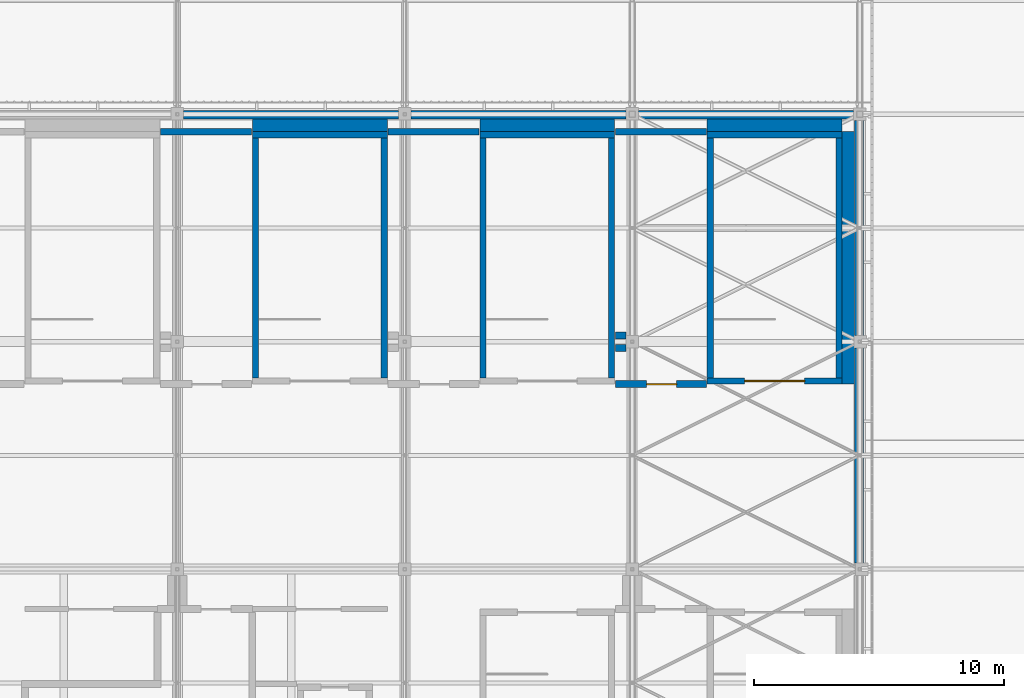
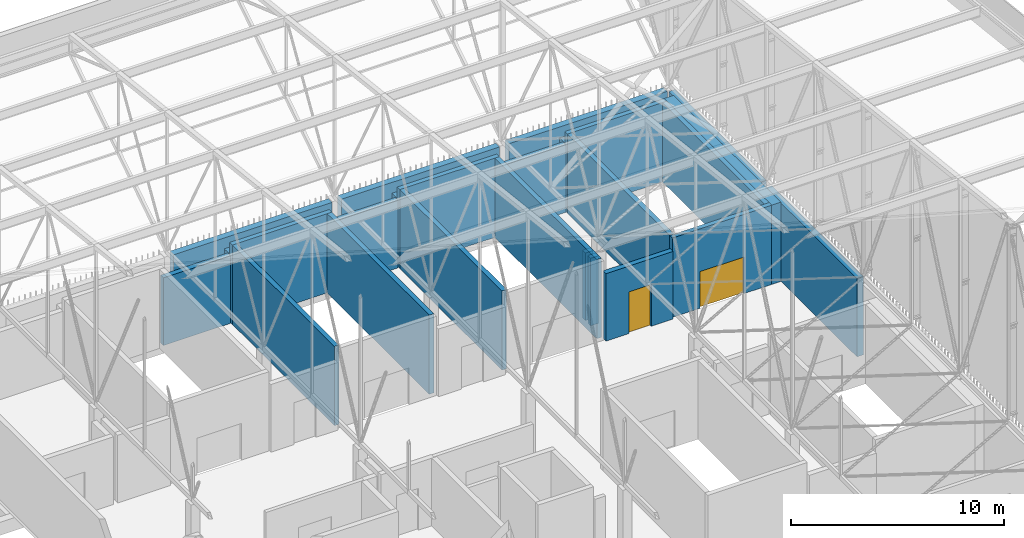
# One storey, part 438 of 500: 25 walls, 2 doors, 2 openings.
"""IFC4 building model written with IfcOpenShell, lengths in metres."""

import ifcopenshell
import ifcopenshell.guid

model = None  # the IFC model being written
_history = None  # IfcOwnerHistory: only IFC2X3 demands one
_inside = {}  # id of a spatial element -> (the spatial element, [elements in it])
_under = {}  # id of a project, library or spatial element -> (it, [spatial elements below it])
_declared = {}  # id of a project -> (the project, [libraries it declares])
_typed = {}  # id of a type object -> (the type object, [elements of that type])
_made_of = {}  # id of a material, layer set ... -> (it, [elements and type objects made of it])


def new_model(schema):
    """Start an empty IFC model of exactly this schema.

    Asked for "IFC4X3", IfcOpenShell would pick the latest addendum, in which some entities
    have other attributes; the version numbers below select the first issue.
    IFC2X3 requires an IfcOwnerHistory on every rooted entity: one is made here for all.
    """
    global model, _history
    if schema == "IFC4X3":
        model = ifcopenshell.file(schema_version=(4, 3, 0, 0))
    else:
        model = ifcopenshell.file(schema=schema)
    _inside.clear()
    _under.clear()
    _declared.clear()
    _typed.clear()
    _made_of.clear()
    _history = None
    if model.schema == "IFC2X3":
        org = make("IfcOrganization", Name="unknown")
        user = make(
            "IfcPersonAndOrganization",
            ThePerson=make("IfcPerson", FamilyName="unknown"),
            TheOrganization=org,
        )
        app = make(
            "IfcApplication",
            ApplicationDeveloper=org,
            Version="unknown",
            ApplicationFullName="unknown",
            ApplicationIdentifier="unknown",
        )
        _history = make(
            "IfcOwnerHistory",
            OwningUser=user,
            OwningApplication=app,
            ChangeAction="ADDED",
            CreationDate=0,
        )
    return model


def make(cls, **values):
    """One entity of the class cls with the attributes given. An attribute that is None is left unset."""
    return model.create_entity(
        cls, **{name: value for name, value in values.items() if value is not None}
    )


def rooted(cls, **values):
    """An entity with a GlobalId (a new one), such as an element, a storey or a relation."""
    return make(cls, GlobalId=ifcopenshell.guid.new(), OwnerHistory=_history, **values)


def si_unit(unit_type, name, prefix=None):
    """IfcSIUnit, for example si_unit("LENGTHUNIT", "METRE", prefix="MILLI")."""
    return make("IfcSIUnit", UnitType=unit_type, Prefix=prefix, Name=name)


def assignment(units):
    """IfcUnitAssignment: the units of a project."""
    return None if units is None else make("IfcUnitAssignment", Units=units)


def point(xyz):
    """IfcCartesianPoint."""
    return None if xyz is None else make("IfcCartesianPoint", Coordinates=xyz)


def direction(xyz):
    """IfcDirection."""
    return None if xyz is None else make("IfcDirection", DirectionRatios=xyz)


def frame(location, z_axis=None, x_axis=None):
    """IfcAxis2Placement3D, a coordinate frame: its origin and axes. An axis left out is left unset."""
    return make(
        "IfcAxis2Placement3D",
        Location=point(location),
        Axis=direction(z_axis),
        RefDirection=direction(x_axis),
    )


def frame_2d(location, x_axis=None):
    """IfcAxis2Placement2D, a coordinate frame in the plane: its origin and x axis."""
    return make(
        "IfcAxis2Placement2D", Location=point(location), RefDirection=direction(x_axis)
    )


def origin():
    """The frame at (0, 0, 0) with its axes left unset."""
    return frame((0.0, 0.0, 0.0))


def place(relative_to, where):
    """IfcLocalPlacement: puts the frame where relative to a parent placement (None: the world)."""
    return make(
        "IfcLocalPlacement", PlacementRelTo=relative_to, RelativePlacement=where
    )


def context(
    kind, dimensions, precision=None, world=None, true_north=None, identifier=None
):
    """IfcGeometricRepresentationContext, for example the 3D "Model" context."""
    return make(
        "IfcGeometricRepresentationContext",
        ContextIdentifier=identifier,
        ContextType=kind,
        CoordinateSpaceDimension=dimensions,
        Precision=precision,
        WorldCoordinateSystem=world,
        TrueNorth=true_north,
    )


def subcontext(parent, identifier, kind, view, scale=None):
    """IfcGeometricRepresentationSubContext, for example "Body" below "Model"."""
    return make(
        "IfcGeometricRepresentationSubContext",
        ContextIdentifier=identifier,
        ContextType=kind,
        ParentContext=parent,
        TargetScale=scale,
        TargetView=view,
    )


def project(units=None, contexts=None):
    """IfcProject with its units and contexts."""
    return rooted(
        "IfcProject",
        Name="project",
        RepresentationContexts=contexts,
        UnitsInContext=assignment(units),
    )


def spatial(cls, under=None, at=None, **own):
    """A site, building, storey or space (cls), placed at a placement, below another one or the project."""
    s = rooted(cls, ObjectPlacement=at, **own)
    if under is not None:
        _under.setdefault(under.id(), (under, []))[1].append(s)
    return s


def profile(cls, at=None, kind="AREA", **sizes):
    """A parametric profile (cls). Its sizes go by their IFC names, for example OverallWidth=200.0."""
    return make(cls, ProfileType=kind, Position=at, **sizes)


def rectangle(**sizes):
    """IfcRectangleProfileDef."""
    return profile("IfcRectangleProfileDef", **sizes)


def extrude(swept, where, along, depth):
    """IfcExtrudedAreaSolid: the profile swept, set in the frame where, extruded along a direction by depth."""
    return make(
        "IfcExtrudedAreaSolid",
        SweptArea=swept,
        Position=where,
        ExtrudedDirection=direction(along),
        Depth=depth,
    )


def shape(context_of_items, identifier, shape_type, items):
    """IfcShapeRepresentation: the items that make up one representation, for example the "Body"."""
    return make(
        "IfcShapeRepresentation",
        ContextOfItems=context_of_items,
        RepresentationIdentifier=identifier,
        RepresentationType=shape_type,
        Items=items,
    )


def material(Name=None, Category=None):
    """IfcMaterial."""
    return make("IfcMaterial", Name=Name, Category=Category)


def layer(
    of_material, thickness, ventilated=None, Name=None, Category=None, Priority=None
):
    """IfcMaterialLayer: one layer of a wall or slab, of a material (None: an air gap)."""
    return make(
        "IfcMaterialLayer",
        Material=of_material,
        LayerThickness=thickness,
        IsVentilated=ventilated,
        Name=Name,
        Category=Category,
        Priority=Priority,
    )


def layer_set(layers, Name=None):
    """IfcMaterialLayerSet."""
    return make("IfcMaterialLayerSet", MaterialLayers=layers, LayerSetName=Name)


def made_of(thing, what):
    """Note that an element or type object is made of a material, layer set ...; save() writes the relation."""
    if what is not None:
        _made_of.setdefault(what.id(), (what, []))[1].append(thing)
    return thing


def type_object(cls, material=None, **own):
    """A type object (cls), such as IfcWallType, which elements share."""
    return made_of(rooted(cls, **own), material)


def element(
    cls,
    number,
    at=None,
    inside=None,
    cuts=None,
    type_object=None,
    material=None,
    context=None,
    identifier="Body",
    shape_type=None,
    held_by="IfcProductDefinitionShape",
    body=None,
    shapes=None,
    **own,
):
    """One element of the class cls, such as IfcWall. Its Tag is "e" and its number.

    at: its placement. inside: the storey or other place that contains it. cuts: it is an
    opening in that element (IfcRelVoidsElement). A single representation is given by context,
    identifier, shape_type and body (its items); several are given by shapes. held_by: the class
    of the entity that holds the representations. save() writes the other relations.
    """
    e = rooted(cls, Tag="e%d" % number, ObjectPlacement=at, **own)
    if body is not None:
        shapes = [shape(context, identifier, shape_type, body)]
    if shapes is not None:
        e.Representation = make(held_by, Representations=shapes)
    if inside is not None:
        _inside.setdefault(inside.id(), (inside, []))[1].append(e)
    if cuts is not None:
        rooted(
            "IfcRelVoidsElement", RelatingBuildingElement=cuts, RelatedOpeningElement=e
        )
    if type_object is not None:
        _typed.setdefault(type_object.id(), (type_object, []))[1].append(e)
    return made_of(e, material)


def fill(opening, filler):
    """IfcRelFillsElement: the door or window that sits in an opening."""
    return rooted(
        "IfcRelFillsElement",
        RelatingOpeningElement=opening,
        RelatedBuildingElement=filler,
    )


def aggregate(whole, parts):
    """IfcRelAggregates: a whole, such as a stair, and the parts it consists of."""
    return rooted("IfcRelAggregates", RelatingObject=whole, RelatedObjects=parts)


def save(model, path):
    """Write the relations noted so far, then the file.

    IfcRelAggregates (storeys below a building ...), IfcRelContainedInSpatialStructure (elements
    in a storey), IfcRelDefinesByType, IfcRelAssociatesMaterial and IfcRelDeclares: one each for
    every whole, place, type object, material and project.
    """
    for whole, parts in _under.values():
        aggregate(whole, parts)
    for where, things in _inside.values():
        rooted(
            "IfcRelContainedInSpatialStructure",
            RelatedElements=things,
            RelatingStructure=where,
        )
    for kind, things in _typed.values():
        rooted("IfcRelDefinesByType", RelatedObjects=things, RelatingType=kind)
    for what, things in _made_of.values():
        rooted("IfcRelAssociatesMaterial", RelatedObjects=things, RelatingMaterial=what)
    for by, libraries in _declared.values():
        rooted("IfcRelDeclares", RelatingContext=by, RelatedDefinitions=libraries)
    model.write(path)


model = new_model("IFC4")

# Units and contexts
model_context = context("Model", 3, precision=1e-05, world=origin(), true_north=direction((0.0, 1.0)))
body_context = subcontext(model_context, "Body", "Model", "MODEL_VIEW")
ifc_project = project(units=[si_unit("LENGTHUNIT", "METRE"), si_unit("AREAUNIT", "SQUARE_METRE"), si_unit("VOLUMEUNIT", "CUBIC_METRE"), si_unit("PLANEANGLEUNIT", "RADIAN"), si_unit("MASSUNIT", "GRAM", prefix="KILO")], contexts=[model_context])

# Site, building, storey
site_placement = place(None, origin())
site = spatial("IfcSite", under=ifc_project, at=site_placement, CompositionType="ELEMENT")
building_placement = place(site_placement, origin())
building = spatial("IfcBuilding", under=site, at=building_placement, Name="Shirokan Park Arena", CompositionType="ELEMENT")
storey_placement = place(building_placement, frame((0.0, 0.0, 29.1201171875)))
storey = spatial("IfcBuildingStorey", under=building, at=storey_placement, Name="L06", CompositionType="ELEMENT", Elevation=29.1201171875)

# Walls
ifc_material_1 = material(Name="Cedar cladding")
ifc_layer_1 = layer(ifc_material_1, 0.030029296875, Name="Cedar cladding")
ifc_material_2 = material(Name="Mineral wool insulation")
ifc_layer_2 = layer(ifc_material_2, 0.10009765625, Name="Mineral wool insulation")
ifc_material_3 = material(Name="Concrete C35", Category="concrete")
ifc_layer_3 = layer(ifc_material_3, 0.199951171875, Name="Concrete C35")
ifc_material_4 = material(Name="Gypsum board lining")
ifc_layer_4 = layer(ifc_material_4, 0.02001953125, Name="Gypsum board lining")
ifc_layer_set_1 = layer_set([ifc_layer_1, ifc_layer_2, ifc_layer_3, ifc_layer_4], Name="Cedar cladding + Mineral wool insulation + Concrete C35 + Gypsum board lining")
wall_type_1 = type_object("IfcWallType", Name="Insulated tower wall 350", PredefinedType="SOLIDWALL", material=ifc_layer_set_1)
wall_1_placement = place(storey_placement, frame((145.574951171875, 91.25, 0.0), z_axis=(0.0, 0.0, 1.0), x_axis=(0.0, 1.0, 0.0)))
element("IfcWall", 1, at=wall_1_placement, inside=storey, type_object=wall_type_1, Name="East facade wall bay 11 L06", PredefinedType="SOLIDWALL", context=body_context, shape_type="SweptSolid", body=[
    extrude(rectangle(XDim=8.60009765625, YDim=0.35009765625, at=frame_2d((4.300048828125, 0.0))), origin(), (0.0, 0.0, 1.0), 4.5),
])
wall_2_placement = place(storey_placement, frame((145.574951171875, 100.35009765625, 0.0), z_axis=(0.0, 0.0, 1.0), x_axis=(0.0, 1.0, 0.0)))
element("IfcWall", 2, at=wall_2_placement, inside=storey, type_object=wall_type_1, Name="East facade wall bay 12 L06", PredefinedType="SOLIDWALL", context=body_context, shape_type="SweptSolid", body=[
    extrude(rectangle(XDim=8.599853515625, YDim=0.35009765625, at=frame_2d((4.2998046875, 0.0))), origin(), (0.0, 0.0, 1.0), 4.5),
])
for number, where, z_axis, x_axis, name in (
    (3, (145.35009765625, 109.175048828125, 0.0), (0.0, 0.0, 1.0), (-1.0, 0.0, 0.0), "North facade wall bay 1 L06"),
    (4, (136.25, 109.175048828125, 0.0), (0.0, 0.0, 1.0), (-1.0, 0.0, 0.0), "North facade wall bay 2 L06"),
):
    element("IfcWall", number, at=place(storey_placement, frame(where, z_axis=z_axis, x_axis=x_axis)), inside=storey, type_object=wall_type_1, Name=name, PredefinedType="SOLIDWALL", context=body_context, shape_type="SweptSolid", body=[
        extrude(rectangle(XDim=8.60009765625, YDim=0.35009765625, at=frame_2d((4.300048828125, 0.0))), origin(), (0.0, 0.0, 1.0), 4.5),
    ])
wall_3_placement = place(storey_placement, frame((127.14990234375, 109.175048828125, 0.0), z_axis=(0.0, 0.0, 1.0), x_axis=(-1.0, 0.0, 0.0)))
element("IfcWall", 5, at=wall_3_placement, inside=storey, type_object=wall_type_1, Name="North facade wall bay 3 L06", PredefinedType="SOLIDWALL", context=body_context, shape_type="SweptSolid", body=[
    extrude(rectangle(XDim=8.599853515625, YDim=0.35009765625, at=frame_2d((4.2998046875, 0.0))), origin(), (0.0, 0.0, 1.0), 4.5),
])
ifc_material_5 = material(Name="Plaster")
ifc_layer_5 = layer(ifc_material_5, 0.012451171875, Name="Plaster")
ifc_material_6 = material(Name="Concrete blockwork", Category="masonry")
ifc_layer_6 = layer(ifc_material_6, 0.25, Name="Concrete blockwork 250")
ifc_layer_7 = layer(ifc_material_5, 0.012451171875, Name="Plaster")
ifc_layer_set_2 = layer_set([ifc_layer_5, ifc_layer_6, ifc_layer_7], Name="Plaster + Concrete blockwork 250")
wall_type_2 = type_object("IfcWallType", Name="Plant room wall 275", PredefinedType="SOLIDWALL", material=ifc_layer_set_2)
for number, where, z_axis, x_axis, name in (
    (6, (117.6298828125, 108.5, 0.0), (0.0, 0.0, 1.0), (1.0, 0.0, 0.0), "Plant room wall 275 L06"),
    (7, (126.72998046875, 108.5, 0.0), (0.0, 0.0, 1.0), (1.0, 0.0, 0.0), "Plant room wall 275 L06"),
):
    element("IfcWall", number, at=place(storey_placement, frame(where, z_axis=z_axis, x_axis=x_axis)), inside=storey, type_object=wall_type_2, Name=name, PredefinedType="SOLIDWALL", context=body_context, shape_type="SweptSolid", body=[
        extrude(rectangle(XDim=3.64013671875, YDim=0.27490234375, at=frame_2d((1.820068359375, 0.0))), origin(), (0.0, 0.0, 1.0), 3.8798828125),
    ])

# Wall, opening, door
wall_4_placement = place(storey_placement, frame((135.830078125, 98.39990234375, 0.0), z_axis=(0.0, 0.0, 1.0), x_axis=(1.0, 0.0, 0.0)))
wall_4 = element("IfcWall", 8, at=wall_4_placement, inside=storey, type_object=wall_type_2, Name="Plant room wall 275 L06", PredefinedType="SOLIDWALL", context=body_context, shape_type="SweptSolid", body=[
    extrude(rectangle(XDim=3.639892578125, YDim=0.27490234375, at=frame_2d((1.81982421875, 0.0))), origin(), (0.0, 0.0, 1.0), 3.8798828125),
])
opening_1_placement = place(wall_4_placement, frame((1.25, 0.0, 0.0)))
opening_1 = element("IfcOpeningElement", 9, at=opening_1_placement, cuts=wall_4, Name="Opening D-6025", PredefinedType="OPENING", context=body_context, shape_type="SweptSolid", body=[
    extrude(rectangle(XDim=1.199951171875, YDim=2.39990234375, at=frame_2d((0.60009765625, 1.199951171875))), frame((0.0, 0.1474609375, 0.0), z_axis=(0.0, -1.0, 0.0), x_axis=(1.0, 0.0, 0.0)), (0.0, 0.0, 1.0), 0.294921875),
])
ifc_material_7 = material(Name="Louvred steel door set, fire resisting", Category="steel")
door_type_1 = type_object("IfcDoorType", Name="Plant room door 1200 x 2400", OperationType="SINGLE_SWING_LEFT", PredefinedType="DOOR", material=ifc_material_7)
door_1_placement = place(opening_1_placement, origin())
door_1 = element("IfcDoor", 10, at=door_1_placement, inside=storey, type_object=door_type_1, Name="Door to Tank Room 6.30 D-6025", OperationType="SINGLE_SWING_LEFT", OverallHeight=2.39990234375, OverallWidth=1.199951171875, PredefinedType="DOOR", context=body_context, shape_type="SweptSolid", body=[
    extrude(rectangle(XDim=1.199951171875, YDim=2.39990234375, at=frame_2d((0.60009765625, 1.199951171875))), frame((0.0, 0.02490234375, 0.0), z_axis=(0.0, -1.0, 0.0), x_axis=(1.0, 0.0, 0.0)), (0.0, 0.0, 1.0), 0.050048828125),
])
fill(opening_1, door_1)

# Walls
wall_5_placement = place(storey_placement, frame((135.830078125, 99.85009765625, 0.0), z_axis=(0.0, 0.0, 1.0), x_axis=(1.0, 0.0, 0.0)))
element("IfcWall", 11, at=wall_5_placement, inside=storey, type_object=wall_type_2, Name="Plant room wall 275 L06", PredefinedType="SOLIDWALL", context=body_context, shape_type="SweptSolid", body=[
    extrude(rectangle(XDim=0.419921875, YDim=0.27490234375, at=frame_2d((0.2099609375, 0.0))), origin(), (0.0, 0.0, 1.0), 3.8798828125),
])
wall_6_placement = place(storey_placement, frame((135.830078125, 108.5, 0.0), z_axis=(0.0, 0.0, 1.0), x_axis=(1.0, 0.0, 0.0)))
element("IfcWall", 12, at=wall_6_placement, inside=storey, type_object=wall_type_2, Name="Plant room wall 275 L06", PredefinedType="SOLIDWALL", context=body_context, shape_type="SweptSolid", body=[
    extrude(rectangle(XDim=3.639892578125, YDim=0.27490234375, at=frame_2d((1.81982421875, 0.0))), origin(), (0.0, 0.0, 1.0), 3.8798828125),
])
wall_7_placement = place(storey_placement, frame((136.25, 100.35009765625, 0.0), z_axis=(0.0, 0.0, 1.0), x_axis=(-1.0, 0.0, 0.0)))
element("IfcWall", 13, at=wall_7_placement, inside=storey, type_object=wall_type_2, Name="Plant room wall 275 L06", PredefinedType="SOLIDWALL", context=body_context, shape_type="SweptSolid", body=[
    extrude(rectangle(XDim=0.419921875, YDim=0.27490234375, at=frame_2d((0.2099609375, 0.0))), origin(), (0.0, 0.0, 1.0), 3.8798828125),
])

# Wall, opening, door
ifc_material_8 = material(Name="Concrete C40/50", Category="concrete")
ifc_layer_8 = layer(ifc_material_8, 0.25)
ifc_layer_set_3 = layer_set([ifc_layer_8], Name="Concrete C40/50 250 mm")
wall_type_3 = type_object("IfcWallType", Name="RC shear wall 250", PredefinedType="SHEAR", material=ifc_layer_set_3)
wall_8_placement = place(storey_placement, frame((144.89990234375, 98.52490234375, 0.0), z_axis=(0.0, 0.0, 1.0), x_axis=(-1.0, 0.0, 0.0)))
wall_8 = element("IfcWall", 14, at=wall_8_placement, inside=storey, type_object=wall_type_3, Name="Shaft wall Exit Stair 3.A S L06", PredefinedType="SHEAR", context=body_context, shape_type="SweptSolid", body=[
    extrude(rectangle(XDim=5.39990234375, YDim=0.25, at=frame_2d((2.699951171875, 0.0))), origin(), (0.0, 0.0, 1.0), 4.5498046875),
])
opening_2_placement = place(wall_8_placement, frame((1.5, 0.0, 0.0)))
opening_2 = element("IfcOpeningElement", 15, at=opening_2_placement, cuts=wall_8, Name="Opening D-6083", PredefinedType="OPENING", context=body_context, shape_type="SweptSolid", body=[
    extrude(rectangle(XDim=2.39990234375, YDim=2.10009765625, at=frame_2d((1.199951171875, 1.050048828125))), frame((0.0, 0.135009765625, 0.0), z_axis=(0.0, -1.0, 0.0), x_axis=(1.0, 0.0, 0.0)), (0.0, 0.0, 1.0), 0.27001953125),
])
ifc_material_9 = material(Name="Steel door set, fire resisting", Category="steel")
door_type_2 = type_object("IfcDoorType", Name="Stair door 2400 x 2100", OperationType="DOUBLE_DOOR_SINGLE_SWING", PredefinedType="DOOR", material=ifc_material_9)
door_2_placement = place(opening_2_placement, origin())
door_2 = element("IfcDoor", 16, at=door_2_placement, inside=storey, type_object=door_type_2, Name="Stair door Exit Stair 3.A D-6083", OperationType="DOUBLE_DOOR_SINGLE_SWING", OverallHeight=2.10009765625, OverallWidth=2.39990234375, PredefinedType="DOOR", context=body_context, shape_type="SweptSolid", body=[
    extrude(rectangle(XDim=2.39990234375, YDim=2.10009765625, at=frame_2d((1.199951171875, 1.050048828125))), frame((0.0, 0.02490234375, 0.0), z_axis=(0.0, -1.0, 0.0), x_axis=(1.0, 0.0, 0.0)), (0.0, 0.0, 1.0), 0.050048828125),
])
fill(opening_2, door_2)

# Walls
wall_9_placement = place(storey_placement, frame((144.89990234375, 108.375, 0.0), z_axis=(0.0, 0.0, 1.0), x_axis=(-1.0, 0.0, 0.0)))
element("IfcWall", 17, at=wall_9_placement, inside=storey, type_object=wall_type_3, Name="Shaft wall Exit Stair 3.A N L06", PredefinedType="SHEAR", context=body_context, shape_type="SweptSolid", body=[
    extrude(rectangle(XDim=5.39990234375, YDim=0.25, at=frame_2d((2.699951171875, 0.0))), origin(), (0.0, 0.0, 1.0), 4.5498046875),
])
for number, where, z_axis, x_axis, name in (
    (18, (139.625, 108.25, 0.0), (0.0, 0.0, 1.0), (0.0, -1.0, 0.0), "Shaft wall Exit Stair 3.A W L06"),
    (19, (144.77490234375, 108.25, 0.0), (0.0, 0.0, 1.0), (0.0, -1.0, 0.0), "Shaft wall Exit Stair 3.A E L06"),
):
    element("IfcWall", number, at=place(storey_placement, frame(where, z_axis=z_axis, x_axis=x_axis)), inside=storey, type_object=wall_type_3, Name=name, PredefinedType="SHEAR", context=body_context, shape_type="SweptSolid", body=[
        extrude(rectangle(XDim=9.60009765625, YDim=0.25, at=frame_2d((4.800048828125, 0.0))), origin(), (0.0, 0.0, 1.0), 4.5498046875),
    ])
wall_10_placement = place(storey_placement, frame((135.800048828125, 108.375, 0.0), z_axis=(0.0, 0.0, 1.0), x_axis=(-1.0, 0.0, 0.0)))
element("IfcWall", 20, at=wall_10_placement, inside=storey, type_object=wall_type_3, Name="Shaft wall Exit Stair 3.B N L06", PredefinedType="SHEAR", context=body_context, shape_type="SweptSolid", body=[
    extrude(rectangle(XDim=5.400146484375, YDim=0.25, at=frame_2d((2.7001953125, 0.0))), origin(), (0.0, 0.0, 1.0), 4.5498046875),
])
for number, where, z_axis, x_axis, name in (
    (21, (130.52490234375, 108.25, 0.0), (0.0, 0.0, 1.0), (0.0, -1.0, 0.0), "Shaft wall Exit Stair 3.B W L06"),
    (22, (135.675048828125, 108.25, 0.0), (0.0, 0.0, 1.0), (0.0, -1.0, 0.0), "Shaft wall Exit Stair 3.B E L06"),
):
    element("IfcWall", number, at=place(storey_placement, frame(where, z_axis=z_axis, x_axis=x_axis)), inside=storey, type_object=wall_type_3, Name=name, PredefinedType="SHEAR", context=body_context, shape_type="SweptSolid", body=[
        extrude(rectangle(XDim=9.60009765625, YDim=0.25, at=frame_2d((4.800048828125, 0.0))), origin(), (0.0, 0.0, 1.0), 4.5498046875),
    ])
wall_11_placement = place(storey_placement, frame((126.699951171875, 108.375, 0.0), z_axis=(0.0, 0.0, 1.0), x_axis=(-1.0, 0.0, 0.0)))
element("IfcWall", 23, at=wall_11_placement, inside=storey, type_object=wall_type_3, Name="Shaft wall Exit Stair 3.C N L06", PredefinedType="SHEAR", context=body_context, shape_type="SweptSolid", body=[
    extrude(rectangle(XDim=5.39990234375, YDim=0.25, at=frame_2d((2.699951171875, 0.0))), origin(), (0.0, 0.0, 1.0), 4.5498046875),
])
for number, where, z_axis, x_axis, name in (
    (24, (121.425048828125, 108.25, 0.0), (0.0, 0.0, 1.0), (0.0, -1.0, 0.0), "Shaft wall Exit Stair 3.C W L06"),
    (25, (126.574951171875, 108.25, 0.0), (0.0, 0.0, 1.0), (0.0, -1.0, 0.0), "Shaft wall Exit Stair 3.C E L06"),
):
    element("IfcWall", number, at=place(storey_placement, frame(where, z_axis=z_axis, x_axis=x_axis)), inside=storey, type_object=wall_type_3, Name=name, PredefinedType="SHEAR", context=body_context, shape_type="SweptSolid", body=[
        extrude(rectangle(XDim=9.60009765625, YDim=0.25, at=frame_2d((4.800048828125, 0.0))), origin(), (0.0, 0.0, 1.0), 4.5498046875),
    ])
ifc_layer_9 = layer(ifc_material_3, 0.5)
ifc_layer_set_4 = layer_set([ifc_layer_9], Name="Concrete C35 500 mm")
wall_type_4 = type_object("IfcWallType", Name="Shaft infill wall 500", PredefinedType="SOLIDWALL", material=ifc_layer_set_4)
wall_12_placement = place(storey_placement, frame((139.5, 108.75, 0.0), z_axis=(0.0, 0.0, 1.0), x_axis=(1.0, 0.0, 0.0)))
element("IfcWall", 26, at=wall_12_placement, inside=storey, type_object=wall_type_4, Name="Shaft infill wall L06", PredefinedType="SOLIDWALL", context=body_context, shape_type="SweptSolid", body=[
    extrude(rectangle(XDim=5.39990234375, YDim=0.5, at=frame_2d((2.699951171875, 0.0))), origin(), (0.0, 0.0, 1.0), 3.8798828125),
])
wall_13_placement = place(storey_placement, frame((145.14990234375, 98.39990234375, 0.0), z_axis=(0.0, 0.0, 1.0), x_axis=(0.0, 1.0, 0.0)))
element("IfcWall", 27, at=wall_13_placement, inside=storey, type_object=wall_type_4, Name="Shaft infill wall L06", PredefinedType="SOLIDWALL", context=body_context, shape_type="SweptSolid", body=[
    extrude(rectangle(XDim=10.10009765625, YDim=0.5, at=frame_2d((5.050048828125, 0.0))), origin(), (0.0, 0.0, 1.0), 4.5498046875),
])
wall_14_placement = place(storey_placement, frame((130.39990234375, 108.75, 0.0), z_axis=(0.0, 0.0, 1.0), x_axis=(1.0, 0.0, 0.0)))
element("IfcWall", 28, at=wall_14_placement, inside=storey, type_object=wall_type_4, Name="Shaft infill wall L06", PredefinedType="SOLIDWALL", context=body_context, shape_type="SweptSolid", body=[
    extrude(rectangle(XDim=5.400146484375, YDim=0.5, at=frame_2d((2.7001953125, 0.0))), origin(), (0.0, 0.0, 1.0), 3.8798828125),
])
wall_15_placement = place(storey_placement, frame((121.300048828125, 108.75, 0.0), z_axis=(0.0, 0.0, 1.0), x_axis=(1.0, 0.0, 0.0)))
element("IfcWall", 29, at=wall_15_placement, inside=storey, type_object=wall_type_4, Name="Shaft infill wall L06", PredefinedType="SOLIDWALL", context=body_context, shape_type="SweptSolid", body=[
    extrude(rectangle(XDim=5.39990234375, YDim=0.5, at=frame_2d((2.699951171875, 0.0))), origin(), (0.0, 0.0, 1.0), 3.8798828125),
])

save(model, "model.ifc")
